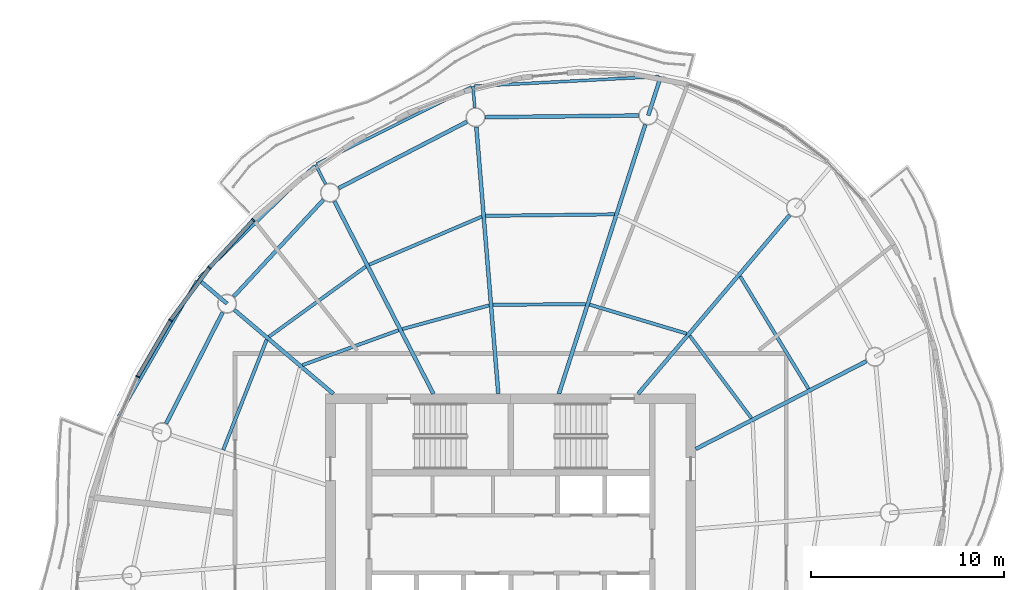
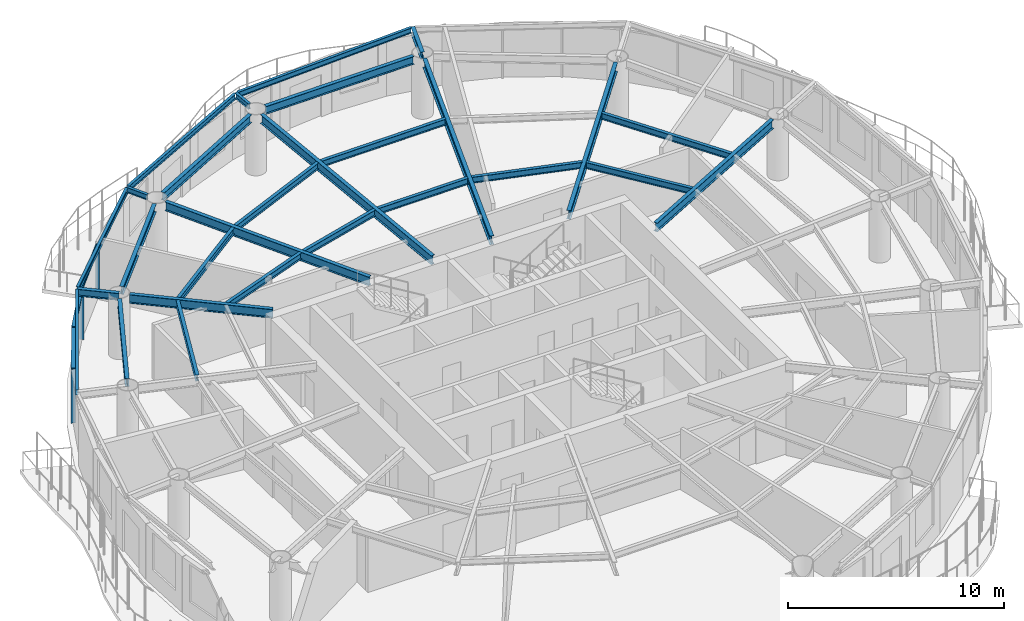
# One storey, part 5 of 15: 28 beams, 7 members, 4 elements without a shape of their own.
"""IFC4 building model written with IfcOpenShell, lengths in metres."""

import ifcopenshell
import ifcopenshell.guid

model = None  # the IFC model being written
_history = None  # IfcOwnerHistory: only IFC2X3 demands one
_inside = {}  # id of a spatial element -> (the spatial element, [elements in it])
_under = {}  # id of a project, library or spatial element -> (it, [spatial elements below it])
_declared = {}  # id of a project -> (the project, [libraries it declares])
_typed = {}  # id of a type object -> (the type object, [elements of that type])
_made_of = {}  # id of a material, layer set ... -> (it, [elements and type objects made of it])


def new_model(schema):
    """Start an empty IFC model of exactly this schema.

    Asked for "IFC4X3", IfcOpenShell would pick the latest addendum, in which some entities
    have other attributes; the version numbers below select the first issue.
    IFC2X3 requires an IfcOwnerHistory on every rooted entity: one is made here for all.
    """
    global model, _history
    if schema == "IFC4X3":
        model = ifcopenshell.file(schema_version=(4, 3, 0, 0))
    else:
        model = ifcopenshell.file(schema=schema)
    _inside.clear()
    _under.clear()
    _declared.clear()
    _typed.clear()
    _made_of.clear()
    _history = None
    if model.schema == "IFC2X3":
        org = make("IfcOrganization", Name="unknown")
        user = make(
            "IfcPersonAndOrganization",
            ThePerson=make("IfcPerson", FamilyName="unknown"),
            TheOrganization=org,
        )
        app = make(
            "IfcApplication",
            ApplicationDeveloper=org,
            Version="unknown",
            ApplicationFullName="unknown",
            ApplicationIdentifier="unknown",
        )
        _history = make(
            "IfcOwnerHistory",
            OwningUser=user,
            OwningApplication=app,
            ChangeAction="ADDED",
            CreationDate=0,
        )
    return model


def make(cls, **values):
    """One entity of the class cls with the attributes given. An attribute that is None is left unset."""
    return model.create_entity(
        cls, **{name: value for name, value in values.items() if value is not None}
    )


def rooted(cls, **values):
    """An entity with a GlobalId (a new one), such as an element, a storey or a relation."""
    return make(cls, GlobalId=ifcopenshell.guid.new(), OwnerHistory=_history, **values)


def si_unit(unit_type, name, prefix=None):
    """IfcSIUnit, for example si_unit("LENGTHUNIT", "METRE", prefix="MILLI")."""
    return make("IfcSIUnit", UnitType=unit_type, Prefix=prefix, Name=name)


def assignment(units):
    """IfcUnitAssignment: the units of a project."""
    return None if units is None else make("IfcUnitAssignment", Units=units)


def point(xyz):
    """IfcCartesianPoint."""
    return None if xyz is None else make("IfcCartesianPoint", Coordinates=xyz)


def direction(xyz):
    """IfcDirection."""
    return None if xyz is None else make("IfcDirection", DirectionRatios=xyz)


def frame(location, z_axis=None, x_axis=None):
    """IfcAxis2Placement3D, a coordinate frame: its origin and axes. An axis left out is left unset."""
    return make(
        "IfcAxis2Placement3D",
        Location=point(location),
        Axis=direction(z_axis),
        RefDirection=direction(x_axis),
    )


def frame_2d(location, x_axis=None):
    """IfcAxis2Placement2D, a coordinate frame in the plane: its origin and x axis."""
    return make(
        "IfcAxis2Placement2D", Location=point(location), RefDirection=direction(x_axis)
    )


def origin():
    """The frame at (0, 0, 0) with its axes left unset."""
    return frame((0.0, 0.0, 0.0))


def origin_2d():
    """The frame at (0, 0) in the plane with its x axis left unset."""
    return frame_2d((0.0, 0.0))


def place(relative_to, where):
    """IfcLocalPlacement: puts the frame where relative to a parent placement (None: the world)."""
    return make(
        "IfcLocalPlacement", PlacementRelTo=relative_to, RelativePlacement=where
    )


def context(
    kind, dimensions, precision=None, world=None, true_north=None, identifier=None
):
    """IfcGeometricRepresentationContext, for example the 3D "Model" context."""
    return make(
        "IfcGeometricRepresentationContext",
        ContextIdentifier=identifier,
        ContextType=kind,
        CoordinateSpaceDimension=dimensions,
        Precision=precision,
        WorldCoordinateSystem=world,
        TrueNorth=true_north,
    )


def subcontext(parent, identifier, kind, view, scale=None):
    """IfcGeometricRepresentationSubContext, for example "Body" below "Model"."""
    return make(
        "IfcGeometricRepresentationSubContext",
        ContextIdentifier=identifier,
        ContextType=kind,
        ParentContext=parent,
        TargetScale=scale,
        TargetView=view,
    )


def project(units=None, contexts=None):
    """IfcProject with its units and contexts."""
    return rooted(
        "IfcProject",
        Name="project",
        RepresentationContexts=contexts,
        UnitsInContext=assignment(units),
    )


def spatial(cls, under=None, at=None, **own):
    """A site, building, storey or space (cls), placed at a placement, below another one or the project."""
    s = rooted(cls, ObjectPlacement=at, **own)
    if under is not None:
        _under.setdefault(under.id(), (under, []))[1].append(s)
    return s


def profile(cls, at=None, kind="AREA", **sizes):
    """A parametric profile (cls). Its sizes go by their IFC names, for example OverallWidth=200.0."""
    return make(cls, ProfileType=kind, Position=at, **sizes)


def rectangle(**sizes):
    """IfcRectangleProfileDef."""
    return profile("IfcRectangleProfileDef", **sizes)


def i_section(**sizes):
    """IfcIShapeProfileDef."""
    return profile("IfcIShapeProfileDef", **sizes)


def extrude(swept, where, along, depth):
    """IfcExtrudedAreaSolid: the profile swept, set in the frame where, extruded along a direction by depth."""
    return make(
        "IfcExtrudedAreaSolid",
        SweptArea=swept,
        Position=where,
        ExtrudedDirection=direction(along),
        Depth=depth,
    )


def shape(context_of_items, identifier, shape_type, items):
    """IfcShapeRepresentation: the items that make up one representation, for example the "Body"."""
    return make(
        "IfcShapeRepresentation",
        ContextOfItems=context_of_items,
        RepresentationIdentifier=identifier,
        RepresentationType=shape_type,
        Items=items,
    )


def material(Name=None, Category=None):
    """IfcMaterial."""
    return make("IfcMaterial", Name=Name, Category=Category)


def material_profile(
    of_material, cross_section, Name=None, Category=None, Priority=None
):
    """IfcMaterialProfile: a cross section and its material."""
    return make(
        "IfcMaterialProfile",
        Name=Name,
        Material=of_material,
        Profile=cross_section,
        Priority=Priority,
        Category=Category,
    )


def profile_set(profiles, Name=None, composite=None):
    """IfcMaterialProfileSet."""
    return make(
        "IfcMaterialProfileSet",
        Name=Name,
        MaterialProfiles=profiles,
        CompositeProfile=composite,
    )


def made_of(thing, what):
    """Note that an element or type object is made of a material, layer set ...; save() writes the relation."""
    if what is not None:
        _made_of.setdefault(what.id(), (what, []))[1].append(thing)
    return thing


def type_object(cls, material=None, **own):
    """A type object (cls), such as IfcWallType, which elements share."""
    return made_of(rooted(cls, **own), material)


def element(
    cls,
    number,
    at=None,
    inside=None,
    cuts=None,
    type_object=None,
    material=None,
    context=None,
    identifier="Body",
    shape_type=None,
    held_by="IfcProductDefinitionShape",
    body=None,
    shapes=None,
    **own,
):
    """One element of the class cls, such as IfcWall. Its Tag is "e" and its number.

    at: its placement. inside: the storey or other place that contains it. cuts: it is an
    opening in that element (IfcRelVoidsElement). A single representation is given by context,
    identifier, shape_type and body (its items); several are given by shapes. held_by: the class
    of the entity that holds the representations. save() writes the other relations.
    """
    e = rooted(cls, Tag="e%d" % number, ObjectPlacement=at, **own)
    if body is not None:
        shapes = [shape(context, identifier, shape_type, body)]
    if shapes is not None:
        e.Representation = make(held_by, Representations=shapes)
    if inside is not None:
        _inside.setdefault(inside.id(), (inside, []))[1].append(e)
    if cuts is not None:
        rooted(
            "IfcRelVoidsElement", RelatingBuildingElement=cuts, RelatedOpeningElement=e
        )
    if type_object is not None:
        _typed.setdefault(type_object.id(), (type_object, []))[1].append(e)
    return made_of(e, material)


def aggregate(whole, parts):
    """IfcRelAggregates: a whole, such as a stair, and the parts it consists of."""
    return rooted("IfcRelAggregates", RelatingObject=whole, RelatedObjects=parts)


def save(model, path):
    """Write the relations noted so far, then the file.

    IfcRelAggregates (storeys below a building ...), IfcRelContainedInSpatialStructure (elements
    in a storey), IfcRelDefinesByType, IfcRelAssociatesMaterial and IfcRelDeclares: one each for
    every whole, place, type object, material and project.
    """
    for whole, parts in _under.values():
        aggregate(whole, parts)
    for where, things in _inside.values():
        rooted(
            "IfcRelContainedInSpatialStructure",
            RelatedElements=things,
            RelatingStructure=where,
        )
    for kind, things in _typed.values():
        rooted("IfcRelDefinesByType", RelatedObjects=things, RelatingType=kind)
    for what, things in _made_of.values():
        rooted("IfcRelAssociatesMaterial", RelatedObjects=things, RelatingMaterial=what)
    for by, libraries in _declared.values():
        rooted("IfcRelDeclares", RelatingContext=by, RelatedDefinitions=libraries)
    model.write(path)


model = new_model("IFC4")

# Units and contexts
model_context = context("Model", 3, precision=1e-05, world=origin(), true_north=direction((0.0, 1.0)))
body_context = subcontext(model_context, "Body", "Model", "MODEL_VIEW")
ifc_project = project(units=[si_unit("LENGTHUNIT", "METRE"), si_unit("AREAUNIT", "SQUARE_METRE"), si_unit("VOLUMEUNIT", "CUBIC_METRE"), si_unit("PLANEANGLEUNIT", "RADIAN"), si_unit("MASSUNIT", "GRAM", prefix="KILO")], contexts=[model_context])

# Site, building, storey
site_placement = place(None, origin())
site = spatial("IfcSite", under=ifc_project, at=site_placement, CompositionType="ELEMENT")
building_placement = place(site_placement, origin())
building = spatial("IfcBuilding", under=site, at=building_placement, Name="Vermilion Reach Broadcast Tower", CompositionType="ELEMENT")
storey_placement = place(building_placement, frame((0.0, 0.0, 261.300048828125)))
storey = spatial("IfcBuildingStorey", under=building, at=storey_placement, Name="L64", CompositionType="ELEMENT", Elevation=261.300048828125)

# Beams
ifc_material_1 = material(Name="Steel S355J2", Category="steel")
ifc_material_profile_1 = material_profile(ifc_material_1, i_section(OverallWidth=0.14990234375, OverallDepth=0.300048828125, WebThickness=0.006591796875, FlangeThickness=0.009033203125, at=origin_2d()), Name="S355J2 HN 300x150x6.5x9")
ifc_profile_set_1 = profile_set([ifc_material_profile_1], Name="Steel S355J2")
beam_type_1 = type_object("IfcBeamType", Name="EB5 HN 300x150x6.5x9", PredefinedType="BEAM", material=ifc_profile_set_1)
beam_1_placement = place(storey_placement, frame((1.680419921875, 24.263427734375, 3.300048828125), z_axis=(-0.998643973769, -0.0520597124, 0.0), x_axis=(0.0520597124, -0.998643973769, 0.0)))
element("IfcBeam", 1, at=beam_1_placement, inside=storey, type_object=beam_type_1, Name="Edge beam EB5-01", PredefinedType="BEAM", context=body_context, shape_type="SweptSolid", body=[
    extrude(i_section(OverallWidth=0.14990234375, OverallDepth=0.300048828125, WebThickness=0.006591796875, FlangeThickness=0.009033203125, at=origin_2d()), origin(), (0.0, 0.0, 1.0), 9.576171875),
])
beam_2_placement = place(storey_placement, frame((-8.030029296875, 23.724853515625, 3.300048828125), z_axis=(-0.895155540146, -0.445753921965, 0.0), x_axis=(0.445753921965, -0.895155540146, 0.0)))
element("IfcBeam", 2, at=beam_2_placement, inside=storey, type_object=beam_type_1, Name="Edge beam EB5-02", PredefinedType="BEAM", context=body_context, shape_type="SweptSolid", body=[
    extrude(i_section(OverallWidth=0.14990234375, OverallDepth=0.300048828125, WebThickness=0.006591796875, FlangeThickness=0.009033203125, at=origin_2d()), origin(), (0.0, 0.0, 1.0), 8.96875),
])
beam_3_placement = place(storey_placement, frame((-16.181640625, 19.638916015625, 3.300048828125), z_axis=(-0.717111214495, -0.69695875491, 0.0), x_axis=(0.69695875491, -0.717111214495, 0.0)))
element("IfcBeam", 3, at=beam_3_placement, inside=storey, type_object=beam_type_1, Name="Edge beam EB5-03", PredefinedType="BEAM", context=body_context, shape_type="SweptSolid", body=[
    extrude(i_section(OverallWidth=0.14990234375, OverallDepth=0.300048828125, WebThickness=0.006591796875, FlangeThickness=0.009033203125, at=origin_2d()), origin(), (0.0, 0.0, 1.0), 8.3349609375),
])
beam_4_placement = place(storey_placement, frame((-22.281494140625, 13.671875, 3.300048828125), z_axis=(-0.499538655785, -0.866291597198, 0.0), x_axis=(0.866291597198, -0.499538655785, 0.0)))
element("IfcBeam", 4, at=beam_4_placement, inside=storey, type_object=beam_type_1, Name="Edge beam EB5-04", PredefinedType="BEAM", context=body_context, shape_type="SweptSolid", body=[
    extrude(i_section(OverallWidth=0.14990234375, OverallDepth=0.300048828125, WebThickness=0.006591796875, FlangeThickness=0.009033203125, at=origin_2d()), origin(), (0.0, 0.0, 1.0), 8.126708984375),
])
ifc_material_2 = material(Name="Steel S355J2", Category="steel")
ifc_material_profile_2 = material_profile(ifc_material_2, i_section(OverallWidth=0.199951171875, OverallDepth=0.5, WebThickness=0.010009765625, FlangeThickness=0.01611328125, at=origin_2d()), Name="S355J2 HN 500x200x10x16")
ifc_profile_set_2 = profile_set([ifc_material_profile_2], Name="Steel S355J2")
beam_type_2 = type_object("IfcBeamType", Name="G5 HN 500x200x10x16", PredefinedType="BEAM", material=ifc_profile_set_2)
beam_5_placement = place(storey_placement, frame((-3.497314453125, 7.800048828125, 3.199951171875), z_axis=(0.305545401295, 0.952177508528, 0.0), x_axis=(-0.952177508528, 0.305545401295, 0.0)))
element("IfcBeam", 5, at=beam_5_placement, inside=storey, type_object=beam_type_2, Name="Girder G5-01", PredefinedType="BEAM", context=body_context, shape_type="SweptSolid", body=[
    extrude(i_section(OverallWidth=0.199951171875, OverallDepth=0.5, WebThickness=0.010009765625, FlangeThickness=0.01611328125, at=origin_2d()), origin(), (0.0, 0.0, 1.0), 14.672607421875),
])
beam_6_placement = place(storey_placement, frame((-6.642578125, 7.800048828125, 3.199951171875), z_axis=(-0.082123744247, 0.996622140347, 0.0), x_axis=(-0.996622140347, -0.082123744247, 0.0)))
element("IfcBeam", 6, at=beam_6_placement, inside=storey, type_object=beam_type_2, Name="Girder G5-02", PredefinedType="BEAM", context=body_context, shape_type="SweptSolid", body=[
    extrude(i_section(OverallWidth=0.199951171875, OverallDepth=0.5, WebThickness=0.010009765625, FlangeThickness=0.01611328125, at=origin_2d()), origin(), (0.0, 0.0, 1.0), 13.89794921875),
])
beam_7_placement = place(storey_placement, frame((-10.010498046875, 7.800048828125, 3.199951171875), z_axis=(-0.457258168112, 0.889334002327, 0.0), x_axis=(-0.889334002327, -0.457258168112, 0.0)))
element("IfcBeam", 7, at=beam_7_placement, inside=storey, type_object=beam_type_2, Name="Girder G5-03", PredefinedType="BEAM", context=body_context, shape_type="SweptSolid", body=[
    extrude(i_section(OverallWidth=0.199951171875, OverallDepth=0.5, WebThickness=0.010009765625, FlangeThickness=0.01611328125, at=origin_2d()), origin(), (0.0, 0.0, 1.0), 11.236328125),
])
beam_8_placement = place(storey_placement, frame((-15.20068359375, 7.800048828125, 3.199951171875), z_axis=(-0.762793125612, 0.646642596431, 0.0), x_axis=(-0.646642596431, -0.762793125612, 0.0)))
element("IfcBeam", 8, at=beam_8_placement, inside=storey, type_object=beam_type_2, Name="Girder G5-04", PredefinedType="BEAM", context=body_context, shape_type="SweptSolid", body=[
    extrude(i_section(OverallWidth=0.199951171875, OverallDepth=0.5, WebThickness=0.010009765625, FlangeThickness=0.01611328125, at=origin_2d()), origin(), (0.0, 0.0, 1.0), 6.732421875),
])
beam_9_placement = place(storey_placement, frame((3.60009765625, 4.935791015625, 3.199951171875), z_axis=(0.889332502449, 0.457261085254, 0.0), x_axis=(-0.457261085254, 0.889332502449, 0.0)))
element("IfcBeam", 9, at=beam_9_placement, inside=storey, type_object=beam_type_2, Name="Girder G5-15", PredefinedType="BEAM", context=body_context, shape_type="SweptSolid", body=[
    extrude(i_section(OverallWidth=0.199951171875, OverallDepth=0.5, WebThickness=0.010009765625, FlangeThickness=0.01611328125, at=origin_2d()), origin(), (0.0, 0.0, 1.0), 9.96337890625),
])
beam_10_placement = place(storey_placement, frame((0.612548828125, 7.800048828125, 3.199951171875), z_axis=(0.646658335602, 0.762779782766, 0.0), x_axis=(-0.762779782766, 0.646658335602, 0.0)))
element("IfcBeam", 10, at=beam_10_placement, inside=storey, type_object=beam_type_2, Name="Girder G5-16", PredefinedType="BEAM", context=body_context, shape_type="SweptSolid", body=[
    extrude(i_section(OverallWidth=0.199951171875, OverallDepth=0.5, WebThickness=0.010009765625, FlangeThickness=0.01611328125, at=origin_2d()), origin(), (0.0, 0.0, 1.0), 12.16064453125),
])
ifc_material_3 = material(Name="Steel S355J2", Category="steel")
ifc_material_profile_3 = material_profile(ifc_material_3, i_section(OverallWidth=0.199951171875, OverallDepth=0.39990234375, WebThickness=0.008056640625, FlangeThickness=0.012939453125, at=origin_2d()), Name="S355J2 HN 400x200x8x13")
ifc_profile_set_3 = profile_set([ifc_material_profile_3], Name="Steel S355J2")
beam_type_3 = type_object("IfcBeamType", Name="GC5 HN 400x200x8x13", PredefinedType="BEAM", material=ifc_profile_set_3)
beam_11_placement = place(storey_placement, frame((1.138427734375, 22.2470703125, 3.25), z_axis=(0.305584898236, 0.952164833404, 0.0), x_axis=(-0.952164833404, 0.305584898236, 0.0)))
element("IfcBeam", 11, at=beam_11_placement, inside=storey, type_object=beam_type_3, Name="Cantilever girder GC5-01", PredefinedType="BEAM", context=body_context, shape_type="SweptSolid", body=[
    extrude(i_section(OverallWidth=0.199951171875, OverallDepth=0.39990234375, WebThickness=0.008056640625, FlangeThickness=0.012939453125, at=origin_2d()), origin(), (0.0, 0.0, 1.0), 2.12353515625),
])
beam_12_placement = place(storey_placement, frame((-20.717529296875, 12.476806640625, 3.25), z_axis=(-0.762746406381, 0.646697703377, 0.0), x_axis=(-0.646697703377, -0.762746406381, 0.0)))
element("IfcBeam", 12, at=beam_12_placement, inside=storey, type_object=beam_type_3, Name="Cantilever girder GC5-04", PredefinedType="BEAM", context=body_context, shape_type="SweptSolid", body=[
    extrude(i_section(OverallWidth=0.199951171875, OverallDepth=0.39990234375, WebThickness=0.008056640625, FlangeThickness=0.012939453125, at=origin_2d()), origin(), (0.0, 0.0, 1.0), 1.98388671875),
])
ifc_material_4 = material(Name="Steel S355J2", Category="steel")
ifc_material_profile_4 = material_profile(ifc_material_4, i_section(OverallWidth=0.14990234375, OverallDepth=0.300048828125, WebThickness=0.006591796875, FlangeThickness=0.009033203125, at=origin_2d()), Name="S355J2 HN 300x150x6.5x9")
ifc_profile_set_4 = profile_set([ifc_material_profile_4], Name="Steel S355J2")
beam_type_4 = type_object("IfcBeamType", Name="GS5 HN 300x150x6.5x9", PredefinedType="BEAM", material=ifc_profile_set_4)
beam_13_placement = place(storey_placement, frame((-7.865966796875, 22.647705078125, 3.300048828125), z_axis=(-0.082177251405, 0.9966177298, 0.0), x_axis=(-0.9966177298, -0.082177251405, 0.0)))
element("IfcBeam", 13, at=beam_13_placement, inside=storey, type_object=beam_type_4, Name="Cantilever stub GS5-02", PredefinedType="BEAM", context=body_context, shape_type="SweptSolid", body=[
    extrude(i_section(OverallWidth=0.14990234375, OverallDepth=0.300048828125, WebThickness=0.006591796875, FlangeThickness=0.009033203125, at=origin_2d()), origin(), (0.0, 0.0, 1.0), 1.116943359375),
])
beam_14_placement = place(storey_placement, frame((-15.60546875, 18.682373046875, 3.300048828125), z_axis=(-0.457318904707, 0.8893027715, 0.0), x_axis=(-0.8893027715, -0.457318904707, 0.0)))
element("IfcBeam", 14, at=beam_14_placement, inside=storey, type_object=beam_type_4, Name="Cantilever stub GS5-03", PredefinedType="BEAM", context=body_context, shape_type="SweptSolid", body=[
    extrude(i_section(OverallWidth=0.14990234375, OverallDepth=0.300048828125, WebThickness=0.006591796875, FlangeThickness=0.009033203125, at=origin_2d()), origin(), (0.0, 0.0, 1.0), 1.13720703125),
])
ifc_material_5 = material(Name="Steel S355J2", Category="steel")
ifc_material_profile_5 = material_profile(ifc_material_5, i_section(OverallWidth=0.199951171875, OverallDepth=0.449951171875, WebThickness=0.009033203125, FlangeThickness=0.013916015625, at=origin_2d()), Name="S355J2 HN 450x200x9x14")
ifc_profile_set_5 = profile_set([ifc_material_profile_5], Name="Steel S355J2")
beam_type_5 = type_object("IfcBeamType", Name="RB5 HN 450x200x9x14", PredefinedType="BEAM", material=ifc_profile_set_5)
beam_15_placement = place(storey_placement, frame((0.638427734375, 22.24169921875, 3.224853515625), z_axis=(-0.999940445231, -0.010913569149, 0.0), x_axis=(0.010913569149, -0.999940445231, 0.0)))
element("IfcBeam", 15, at=beam_15_placement, inside=storey, type_object=beam_type_5, Name="Ring beam RB5-01", PredefinedType="BEAM", context=body_context, shape_type="SweptSolid", body=[
    extrude(i_section(OverallWidth=0.199951171875, OverallDepth=0.449951171875, WebThickness=0.009033203125, FlangeThickness=0.013916015625, at=origin_2d()), origin(), (0.0, 0.0, 1.0), 7.9638671875),
])
beam_16_placement = place(storey_placement, frame((-8.268798828125, 21.91943359375, 3.224853515625), z_axis=(-0.887960248279, -0.459920207729, 0.0), x_axis=(0.459920207729, -0.887960248279, 0.0)))
element("IfcBeam", 16, at=beam_16_placement, inside=storey, type_object=beam_type_5, Name="Ring beam RB5-02", PredefinedType="BEAM", context=body_context, shape_type="SweptSolid", body=[
    extrude(i_section(OverallWidth=0.199951171875, OverallDepth=0.449951171875, WebThickness=0.009033203125, FlangeThickness=0.013916015625, at=origin_2d()), origin(), (0.0, 0.0, 1.0), 7.5048828125),
])
beam_17_placement = place(storey_placement, frame((-15.716796875, 17.87109375, 3.224853515625), z_axis=(-0.679837550075, -0.733362738014, 0.0), x_axis=(0.733362738014, -0.679837550075, 0.0)))
element("IfcBeam", 17, at=beam_17_placement, inside=storey, type_object=beam_type_5, Name="Ring beam RB5-03", PredefinedType="BEAM", context=body_context, shape_type="SweptSolid", body=[
    extrude(i_section(OverallWidth=0.199951171875, OverallDepth=0.449951171875, WebThickness=0.009033203125, FlangeThickness=0.013916015625, at=origin_2d()), origin(), (0.0, 0.0, 1.0), 6.85546875),
])
beam_18_placement = place(storey_placement, frame((-20.944091796875, 12.03125, 3.224853515625), z_axis=(-0.453052302855, -0.891483937532, 0.0), x_axis=(0.891483937532, -0.453052302855, 0.0)))
element("IfcBeam", 18, at=beam_18_placement, inside=storey, type_object=beam_type_5, Name="Ring beam RB5-04", PredefinedType="BEAM", context=body_context, shape_type="SweptSolid", body=[
    extrude(i_section(OverallWidth=0.199951171875, OverallDepth=0.449951171875, WebThickness=0.009033203125, FlangeThickness=0.013916015625, at=origin_2d()), origin(), (0.0, 0.0, 1.0), 6.47900390625),
])
ifc_material_6 = material(Name="Steel S355J2", Category="steel")
ifc_material_profile_6 = material_profile(ifc_material_6, i_section(OverallWidth=0.175048828125, OverallDepth=0.35009765625, WebThickness=0.007080078125, FlangeThickness=0.010986328125, at=origin_2d()), Name="S355J2 HN 350x175x7x11")
ifc_profile_set_6 = profile_set([ifc_material_profile_6], Name="Steel S355J2")
beam_type_6 = type_object("IfcBeamType", Name="SB5 HN 350x175x7x11", PredefinedType="BEAM", material=ifc_profile_set_6)
beam_19_placement = place(storey_placement, frame((-2.108154296875, 12.4560546875, 3.27490234375), z_axis=(-0.999968312294, -0.007960804474, 0.0), x_axis=(0.007960804474, -0.999968312294, 0.0)))
element("IfcBeam", 19, at=beam_19_placement, inside=storey, type_object=beam_type_6, Name="Secondary beam SB5-01-1", PredefinedType="BEAM", context=body_context, shape_type="SweptSolid", body=[
    extrude(i_section(OverallWidth=0.175048828125, OverallDepth=0.35009765625, WebThickness=0.007080078125, FlangeThickness=0.010986328125, at=origin_2d()), origin(), (0.0, 0.0, 1.0), 4.81494140625),
])
beam_20_placement = place(storey_placement, frame((-0.614013671875, 17.11279296875, 3.27490234375), z_axis=(-0.999932654133, -0.011605481368, 0.0), x_axis=(0.011605481368, -0.999932654133, 0.0)))
element("IfcBeam", 20, at=beam_20_placement, inside=storey, type_object=beam_type_6, Name="Secondary beam SB5-01-2", PredefinedType="BEAM", context=body_context, shape_type="SweptSolid", body=[
    extrude(i_section(OverallWidth=0.175048828125, OverallDepth=0.35009765625, WebThickness=0.007080078125, FlangeThickness=0.010986328125, at=origin_2d()), origin(), (0.0, 0.0, 1.0), 6.689697265625),
])
beam_21_placement = place(storey_placement, frame((-7.12109375, 12.39013671875, 3.27490234375), z_axis=(-0.964547496851, -0.263909314573, 0.0), x_axis=(0.263909314573, -0.964547496851, 0.0)))
element("IfcBeam", 21, at=beam_21_placement, inside=storey, type_object=beam_type_6, Name="Secondary beam SB5-02-1", PredefinedType="BEAM", context=body_context, shape_type="SweptSolid", body=[
    extrude(i_section(OverallWidth=0.175048828125, OverallDepth=0.35009765625, WebThickness=0.007080078125, FlangeThickness=0.010986328125, at=origin_2d()), origin(), (0.0, 0.0, 1.0), 4.6689453125),
])
beam_22_placement = place(storey_placement, frame((-7.50048828125, 16.99267578125, 3.27490234375), z_axis=(-0.919880986172, -0.392197617637, 0.0), x_axis=(0.392197617637, -0.919880986172, 0.0)))
element("IfcBeam", 22, at=beam_22_placement, inside=storey, type_object=beam_type_6, Name="Secondary beam SB5-02-2", PredefinedType="BEAM", context=body_context, shape_type="SweptSolid", body=[
    extrude(i_section(OverallWidth=0.175048828125, OverallDepth=0.35009765625, WebThickness=0.007080078125, FlangeThickness=0.010986328125, at=origin_2d()), origin(), (0.0, 0.0, 1.0), 6.351806640625),
])
beam_23_placement = place(storey_placement, frame((-11.81787109375, 11.0966796875, 3.27490234375), z_axis=(-0.940220108875, -0.340567389613, 0.0), x_axis=(0.340567389613, -0.940220108875, 0.0)))
element("IfcBeam", 23, at=beam_23_placement, inside=storey, type_object=beam_type_6, Name="Secondary beam SB5-03-1", PredefinedType="BEAM", context=body_context, shape_type="SweptSolid", body=[
    extrude(i_section(OverallWidth=0.175048828125, OverallDepth=0.35009765625, WebThickness=0.007080078125, FlangeThickness=0.010986328125, at=origin_2d()), origin(), (0.0, 0.0, 1.0), 5.303466796875),
])
beam_24_placement = place(storey_placement, frame((-13.517578125, 14.402587890625, 3.27490234375), z_axis=(-0.809771251518, -0.586745703192, 0.0), x_axis=(0.586745703192, -0.809771251518, 0.0)))
element("IfcBeam", 24, at=beam_24_placement, inside=storey, type_object=beam_type_6, Name="Secondary beam SB5-03-2", PredefinedType="BEAM", context=body_context, shape_type="SweptSolid", body=[
    extrude(i_section(OverallWidth=0.175048828125, OverallDepth=0.35009765625, WebThickness=0.007080078125, FlangeThickness=0.010986328125, at=origin_2d()), origin(), (0.0, 0.0, 1.0), 6.20361328125),
])
beam_25_placement = place(storey_placement, frame((-18.6630859375, 10.604248046875, 3.27490234375), z_axis=(-0.366931189603, -0.930248086317, 0.0), x_axis=(0.930248086317, -0.366931189603, 0.0)))
element("IfcBeam", 25, at=beam_25_placement, inside=storey, type_object=beam_type_6, Name="Secondary beam SB5-04-2", PredefinedType="BEAM", context=body_context, shape_type="SweptSolid", body=[
    extrude(i_section(OverallWidth=0.175048828125, OverallDepth=0.35009765625, WebThickness=0.007080078125, FlangeThickness=0.010986328125, at=origin_2d()), origin(), (0.0, 0.0, 1.0), 6.141357421875),
])
beam_26_placement = place(storey_placement, frame((6.492919921875, 6.53564453125, 3.27490234375), z_axis=(-0.599055582645, 0.800707442767, 0.0), x_axis=(-0.800707442767, -0.599055582645, 0.0)))
element("IfcBeam", 26, at=beam_26_placement, inside=storey, type_object=beam_type_6, Name="Secondary beam SB5-15-1", PredefinedType="BEAM", context=body_context, shape_type="SweptSolid", body=[
    extrude(i_section(OverallWidth=0.175048828125, OverallDepth=0.35009765625, WebThickness=0.007080078125, FlangeThickness=0.010986328125, at=origin_2d()), origin(), (0.0, 0.0, 1.0), 5.337890625),
])
beam_27_placement = place(storey_placement, frame((9.455078125, 8.058837890625, 3.27490234375), z_axis=(-0.519272962556, 0.854608442714, 0.0), x_axis=(-0.854608442714, -0.519272962556, 0.0)))
element("IfcBeam", 27, at=beam_27_placement, inside=storey, type_object=beam_type_6, Name="Secondary beam SB5-15-2", PredefinedType="BEAM", context=body_context, shape_type="SweptSolid", body=[
    extrude(i_section(OverallWidth=0.175048828125, OverallDepth=0.35009765625, WebThickness=0.007080078125, FlangeThickness=0.010986328125, at=origin_2d()), origin(), (0.0, 0.0, 1.0), 6.82763671875),
])
beam_28_placement = place(storey_placement, frame((3.129150390625, 10.92333984375, 3.27490234375), z_axis=(-0.958124906971, 0.286350593925, 0.0), x_axis=(-0.286350593925, -0.958124906971, 0.0)))
element("IfcBeam", 28, at=beam_28_placement, inside=storey, type_object=beam_type_6, Name="Secondary beam SB5-16-1", PredefinedType="BEAM", context=body_context, shape_type="SweptSolid", body=[
    extrude(i_section(OverallWidth=0.175048828125, OverallDepth=0.35009765625, WebThickness=0.007080078125, FlangeThickness=0.010986328125, at=origin_2d()), origin(), (0.0, 0.0, 1.0), 5.25634765625),
])

# Curtain wall, member
ifc_material_7 = material(Name="Low-e laminated clear glass in aluminium frame", Category="aluminium")
curtain_wall_type = type_object("IfcCurtainWallType", Name="Slot curtain wall", PredefinedType="NOTDEFINED", material=ifc_material_7)
placement = place(storey_placement, origin())
curtain_wall_1 = element("IfcCurtainWall", 29, at=placement, inside=storey, type_object=curtain_wall_type, Name="Slot curtain wall L64 10", PredefinedType="NOTDEFINED")
ifc_material_8 = material(Name="Anodised aluminium", Category="aluminium")
ifc_material_profile_7 = material_profile(ifc_material_8, rectangle(XDim=0.199951171875, YDim=0.080078125, at=origin_2d()), Name="Slot mullion 80 x 200")
ifc_profile_set_7 = profile_set([ifc_material_profile_7], Name="Anodised aluminium")
member_type_1 = type_object("IfcMemberType", Name="Slot mullion 80 x 200", PredefinedType="MULLION", material=ifc_profile_set_7)
member_1_placement = place(storey_placement, frame((-19.35595703125, 16.819091796875, 0.0), z_axis=(0.0, 0.0, 1.0), x_axis=(0.697653120546, -0.716435707787, 0.0)))
member_1 = element("IfcMember", 30, at=member_1_placement, type_object=member_type_1, Name="Slot mullion L64 10", PredefinedType="MULLION", context=body_context, shape_type="SweptSolid", body=[
    extrude(rectangle(XDim=0.199951171875, YDim=0.080078125, at=origin_2d()), origin(), (0.0, 0.0, 1.0), 3.050048828125),
])

curtain_wall_2 = element("IfcCurtainWall", 31, at=placement, inside=storey, type_object=curtain_wall_type, Name="Slot curtain wall L64 11", PredefinedType="NOTDEFINED")
member_2_placement = place(storey_placement, frame((-21.635498046875, 14.341796875, 0.0), z_axis=(0.0, 0.0, 1.0), x_axis=(0.771336694414, -0.636427296594, 0.0)))
member_2 = element("IfcMember", 32, at=member_2_placement, type_object=member_type_1, Name="Slot mullion L64 11", PredefinedType="MULLION", context=body_context, shape_type="SweptSolid", body=[
    extrude(rectangle(XDim=0.199951171875, YDim=0.080078125, at=origin_2d()), origin(), (0.0, 0.0, 1.0), 3.050048828125),
])

curtain_wall_3 = element("IfcCurtainWall", 33, at=placement, inside=storey, type_object=curtain_wall_type, Name="Slot curtain wall L64 12", PredefinedType="NOTDEFINED")
member_3_placement = place(storey_placement, frame((-23.646240234375, 11.617919921875, 0.0), z_axis=(0.0, 0.0, 1.0), x_axis=(0.835231993216, -0.549897733682, 0.0)))
member_3 = element("IfcMember", 34, at=member_3_placement, type_object=member_type_1, Name="Slot mullion L64 12", PredefinedType="MULLION", context=body_context, shape_type="SweptSolid", body=[
    extrude(rectangle(XDim=0.199951171875, YDim=0.080078125, at=origin_2d()), origin(), (0.0, 0.0, 1.0), 3.050048828125),
])

curtain_wall_4 = element("IfcCurtainWall", 35, at=placement, inside=storey, type_object=curtain_wall_type, Name="Slot curtain wall L64 13", PredefinedType="NOTDEFINED")
member_4_placement = place(storey_placement, frame((-25.353759765625, 8.694091796875, 0.0), z_axis=(0.0, 0.0, 1.0), x_axis=(0.889463660757, -0.457005903892, 0.0)))
member_4 = element("IfcMember", 36, at=member_4_placement, type_object=member_type_1, Name="Slot mullion L64 13", PredefinedType="MULLION", context=body_context, shape_type="SweptSolid", body=[
    extrude(rectangle(XDim=0.199951171875, YDim=0.080078125, at=origin_2d()), origin(), (0.0, 0.0, 1.0), 3.050048828125),
])
aggregate(curtain_wall_4, [member_4])

# Member
ifc_material_9 = material(Name="Anodised aluminium", Category="aluminium")
ifc_material_profile_8 = material_profile(ifc_material_9, rectangle(XDim=0.199951171875, YDim=0.10009765625, at=origin_2d()), Name="Slot transom 200 x 100")
ifc_profile_set_8 = profile_set([ifc_material_profile_8], Name="Anodised aluminium")
member_type_2 = type_object("IfcMemberType", Name="Slot transom 200 x 100", PredefinedType="USERDEFINED", material=ifc_profile_set_8)
member_5_placement = place(storey_placement, frame((-19.383056640625, 16.789794921875, 3.0), z_axis=(-0.677116073204, -0.735876228322, 0.0), x_axis=(0.735876228322, -0.677116073204, 0.0)))
member_5 = element("IfcMember", 37, at=member_5_placement, type_object=member_type_2, Name="Slot transom L64 10.1", ObjectType="TRANSOM", PredefinedType="USERDEFINED", context=body_context, shape_type="SweptSolid", body=[
    extrude(rectangle(XDim=0.199951171875, YDim=0.10009765625, at=origin_2d()), origin(), (0.0, 0.0, 1.0), 3.28662109375),
])

aggregate(curtain_wall_1, [member_1, member_5])

member_6_placement = place(storey_placement, frame((-21.6591796875, 14.309814453125, 3.0), z_axis=(-0.593909207997, -0.80453207062, 0.0), x_axis=(0.80453207062, -0.593909207997, 0.0)))
member_6 = element("IfcMember", 38, at=member_6_placement, type_object=member_type_2, Name="Slot transom L64 11.1", ObjectType="TRANSOM", PredefinedType="USERDEFINED", context=body_context, shape_type="SweptSolid", body=[
    extrude(rectangle(XDim=0.199951171875, YDim=0.10009765625, at=origin_2d()), origin(), (0.0, 0.0, 1.0), 3.305908203125),
])

aggregate(curtain_wall_2, [member_2, member_6])

member_7_placement = place(storey_placement, frame((-23.66650390625, 11.583251953125, 3.0), z_axis=(-0.504293440798, -0.863532353516, 0.0), x_axis=(0.863532353516, -0.504293440798, 0.0)))
member_7 = element("IfcMember", 39, at=member_7_placement, type_object=member_type_2, Name="Slot transom L64 12.1", ObjectType="TRANSOM", PredefinedType="USERDEFINED", context=body_context, shape_type="SweptSolid", body=[
    extrude(rectangle(XDim=0.199951171875, YDim=0.10009765625, at=origin_2d()), origin(), (0.0, 0.0, 1.0), 3.3056640625),
])

aggregate(curtain_wall_3, [member_3, member_7])

save(model, "model.ifc")
